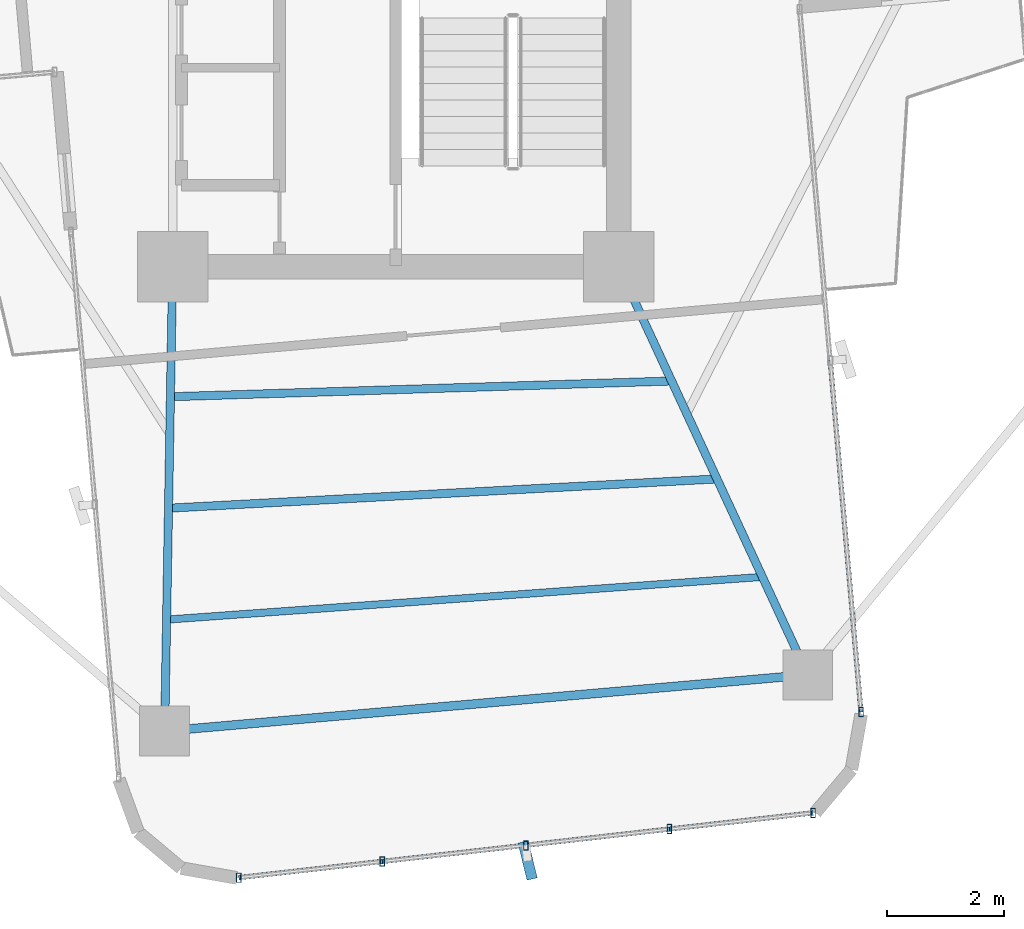
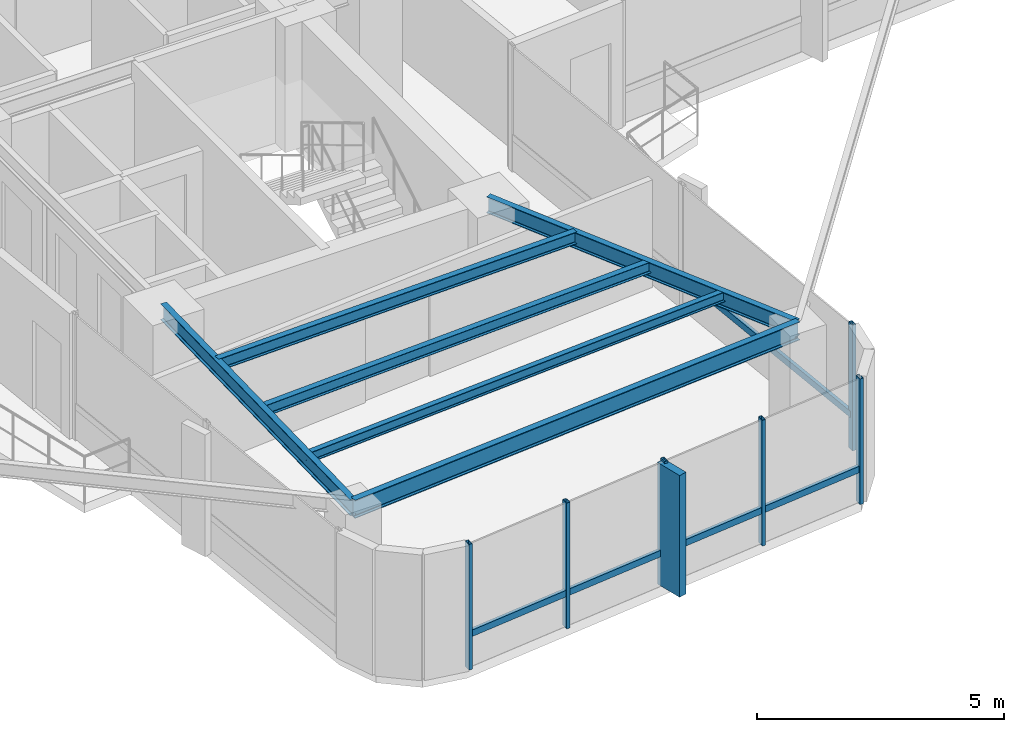
# One storey, part 6 of 24: 12 members, 6 beams, 2 elements without a shape of their own.
"""IFC4 building model written with IfcOpenShell, lengths in metres."""

from ifc_helpers import new_model, si_unit, direction, frame, origin, origin_2d, place, context, subcontext, project, spatial, rectangle, hollow_rectangle, i_section, extrude, source, transform, mapped, material, material_profile, profile_set, type_object, element, aggregate, save


model = new_model("IFC4")

# Units and contexts
model_context = context("Model", 3, precision=1e-05, world=origin(), true_north=direction((0.0, 1.0)))
body_context = subcontext(model_context, "Body", "Model", "MODEL_VIEW")
ifc_project = project(units=[si_unit("LENGTHUNIT", "METRE"), si_unit("AREAUNIT", "SQUARE_METRE"), si_unit("VOLUMEUNIT", "CUBIC_METRE"), si_unit("PLANEANGLEUNIT", "RADIAN"), si_unit("MASSUNIT", "GRAM", prefix="KILO")], contexts=[model_context])

# Site, building, storey
site_placement = place(None, origin())
site = spatial("IfcSite", under=ifc_project, at=site_placement, CompositionType="ELEMENT")
building_placement = place(site_placement, origin())
building = spatial("IfcBuilding", under=site, at=building_placement, Name="Sahyath Konkavel Grand Hotel", CompositionType="ELEMENT")
storey_placement = place(building_placement, frame((0.0, 0.0, 178.550048828125)))
storey = spatial("IfcBuildingStorey", under=building, at=storey_placement, Name="L49", CompositionType="ELEMENT", Elevation=178.550048828125)

# Beams
ifc_material_1 = material(Name="Steel E350", Category="steel")
ifc_material_profile_1 = material_profile(ifc_material_1, i_section(OverallWidth=0.139892578125, OverallDepth=0.39990234375, WebThickness=0.0087890625, FlangeThickness=0.01611328125, FilletRadius=0.013916015625, at=origin_2d()), Name="ISMB 400")
ifc_profile_set_1 = profile_set([ifc_material_profile_1], Name="Steel E350")
beam_type_1 = type_object("IfcBeamType", Name="BM-ISMB400", PredefinedType="BEAM", material=ifc_profile_set_1)
shared_shape_1 = source(origin(), body_context, "Body", "SweptSolid", [
    extrude(i_section(OverallWidth=0.139892578125, OverallDepth=0.39990234375, WebThickness=0.0087890625, FlangeThickness=0.01611328125, FilletRadius=0.013916015625, at=origin_2d()), origin(), (0.0, 0.0, 1.0), 7.913330078125),
])
beam_1_placement = place(storey_placement, frame((-3.800048828125, -10.199951171875, 2.909912109375), z_axis=(-0.017215419232, -0.999851803689, 0.0), x_axis=(0.999851803689, -0.017215419232, 0.0)))
element("IfcBeam", 1, at=beam_1_placement, inside=storey, type_object=beam_type_1, Name="L49 Cruciform Radial Girder SA", PredefinedType="BEAM", context=body_context, shape_type="MappedRepresentation", body=[
    mapped(shared_shape_1, transform((0.0, 0.0, 0.0), scale=1.0)),
])
shared_shape_2 = source(origin(), body_context, "Body", "SweptSolid", [
    extrude(i_section(OverallWidth=0.139892578125, OverallDepth=0.39990234375, WebThickness=0.0087890625, FlangeThickness=0.01611328125, FilletRadius=0.013916015625, at=origin_2d()), origin(), (0.0, 0.0, 1.0), 7.66357421875),
])
beam_2_placement = place(storey_placement, frame((3.800048828125, -10.199951171875, 2.909912109375), z_axis=(0.420395127561, -0.907341135804, 0.0), x_axis=(0.907341135804, 0.420395127561, 0.0)))
element("IfcBeam", 2, at=beam_2_placement, inside=storey, type_object=beam_type_1, Name="L49 Cruciform Radial Girder SB", PredefinedType="BEAM", context=body_context, shape_type="MappedRepresentation", body=[
    mapped(shared_shape_2, transform((0.0, 0.0, 0.0), scale=1.0)),
])
ifc_material_profile_2 = material_profile(ifc_material_1, i_section(OverallWidth=0.14990234375, OverallDepth=0.449951171875, WebThickness=0.009521484375, FlangeThickness=0.017333984375, FilletRadius=0.014892578125, at=origin_2d()), Name="ISMB 450")
ifc_profile_set_2 = profile_set([ifc_material_profile_2], Name="Steel E350")
beam_type_2 = type_object("IfcBeamType", Name="BM-ISMB450", PredefinedType="BEAM", material=ifc_profile_set_2)
shared_shape_3 = source(origin(), body_context, "Body", "SweptSolid", [
    extrude(i_section(OverallWidth=0.14990234375, OverallDepth=0.449951171875, WebThickness=0.009521484375, FlangeThickness=0.017333984375, FilletRadius=0.014892578125, at=origin_2d()), origin(), (0.0, 0.0, 1.0), 10.999755859375),
])
beam_3_placement = place(storey_placement, frame((-3.936279296875, -18.112060546875, 2.885009765625), z_axis=(0.99619439202, 0.087159241098, 0.0), x_axis=(-0.087159241098, 0.99619439202, 0.0)))
element("IfcBeam", 3, at=beam_3_placement, inside=storey, type_object=beam_type_2, Name="L49 Wing Tip Edge Beam S", PredefinedType="BEAM", context=body_context, shape_type="MappedRepresentation", body=[
    mapped(shared_shape_3, transform((0.0, 0.0, 0.0), scale=1.0)),
])
ifc_material_profile_3 = material_profile(ifc_material_1, i_section(OverallWidth=0.139892578125, OverallDepth=0.300048828125, WebThickness=0.0078125, FlangeThickness=0.01318359375, FilletRadius=0.013916015625, at=origin_2d()), Name="ISMB 300")
ifc_profile_set_3 = profile_set([ifc_material_profile_3], Name="Steel E350")
beam_type_3 = type_object("IfcBeamType", Name="BM-ISMB300", PredefinedType="BEAM", material=ifc_profile_set_3)
shared_shape_4 = source(origin(), body_context, "Body", "SweptSolid", [
    extrude(i_section(OverallWidth=0.139892578125, OverallDepth=0.300048828125, WebThickness=0.0078125, FlangeThickness=0.01318359375, FilletRadius=0.013916015625, at=origin_2d()), origin(), (0.0, 0.0, 1.0), 8.54443359375),
])
beam_4_placement = place(storey_placement, frame((-3.838134765625, -12.415283203125, 2.9599609375), z_axis=(0.999506849365, 0.031401561632, 0.0), x_axis=(-0.031401561632, 0.999506849365, 0.0)))
element("IfcBeam", 4, at=beam_4_placement, inside=storey, type_object=beam_type_3, Name="L49 Secondary Floor Beam S-1", PredefinedType="BEAM", context=body_context, shape_type="MappedRepresentation", body=[
    mapped(shared_shape_4, transform((0.0, 0.0, 0.0), scale=1.0)),
])
ifc_material_profile_4 = material_profile(ifc_material_1, i_section(OverallWidth=0.139892578125, OverallDepth=0.27490234375, WebThickness=0.00634765625, FlangeThickness=0.0087890625, FilletRadius=0.012939453125, at=origin_2d()), Name="ISLB 275")
ifc_profile_set_4 = profile_set([ifc_material_profile_4], Name="Steel E350")
beam_type_4 = type_object("IfcBeamType", Name="BM-ISLB275", PredefinedType="BEAM", material=ifc_profile_set_4)
shared_shape_5 = source(origin(), body_context, "Body", "SweptSolid", [
    extrude(i_section(OverallWidth=0.139892578125, OverallDepth=0.27490234375, WebThickness=0.00634765625, FlangeThickness=0.0087890625, FilletRadius=0.012939453125, at=origin_2d()), origin(), (0.0, 0.0, 1.0), 9.359375),
])
beam_5_placement = place(storey_placement, frame((-3.870849609375, -14.314208984375, 2.972412109375), z_axis=(0.998580397723, 0.053265272769, 0.0), x_axis=(-0.053265272769, 0.998580397723, 0.0)))
element("IfcBeam", 5, at=beam_5_placement, inside=storey, type_object=beam_type_4, Name="L49 Secondary Floor Beam S-2", PredefinedType="BEAM", context=body_context, shape_type="MappedRepresentation", body=[
    mapped(shared_shape_5, transform((0.0, 0.0, 0.0), scale=1.0)),
])
ifc_material_profile_5 = material_profile(ifc_material_1, i_section(OverallWidth=0.125, OverallDepth=0.25, WebThickness=0.0068359375, FlangeThickness=0.012451171875, FilletRadius=0.012939453125, at=origin_2d()), Name="ISMB 250")
ifc_profile_set_5 = profile_set([ifc_material_profile_5], Name="Steel E350")
beam_type_5 = type_object("IfcBeamType", Name="BM-ISMB250", PredefinedType="BEAM", material=ifc_profile_set_5)
shared_shape_6 = source(origin(), body_context, "Body", "SweptSolid", [
    extrude(i_section(OverallWidth=0.125, OverallDepth=0.25, WebThickness=0.0068359375, FlangeThickness=0.012451171875, FilletRadius=0.012939453125, at=origin_2d()), origin(), (0.0, 0.0, 1.0), 10.178466796875),
])
beam_6_placement = place(storey_placement, frame((-3.90380859375, -16.213134765625, 2.98486328125), z_axis=(0.997435268886, 0.071574327683, 0.0), x_axis=(-0.071574327683, 0.997435268886, 0.0)))
element("IfcBeam", 6, at=beam_6_placement, inside=storey, type_object=beam_type_5, Name="L49 Secondary Floor Beam S-3", PredefinedType="BEAM", context=body_context, shape_type="MappedRepresentation", body=[
    mapped(shared_shape_6, transform((0.0, 0.0, 0.0), scale=1.0)),
])

# Curtain wall, members
ifc_material_2 = material(Name="Anodised Bronze Aluminium & Low-E Glazing", Category="aluminium")
curtain_wall_type = type_object("IfcCurtainWallType", Name="CW-ZONE3", PredefinedType="NOTDEFINED", material=ifc_material_2)
curtain_wall_1_placement = place(storey_placement, origin())
curtain_wall_1 = element("IfcCurtainWall", 7, at=curtain_wall_1_placement, inside=storey, type_object=curtain_wall_type, Name="L49 Unitised Curtain Wall F28", PredefinedType="NOTDEFINED")
ifc_material_3 = material(Name="Anodised Bronze Aluminium", Category="aluminium")
ifc_material_profile_6 = material_profile(ifc_material_3, hollow_rectangle(XDim=0.080078125, YDim=0.159912109375, WallThickness=0.006103515625, at=origin_2d()), Name="RHS 160x80x6")
ifc_profile_set_6 = profile_set([ifc_material_profile_6], Name="Anodised Bronze Aluminium")
member_type_1 = type_object("IfcMemberType", Name="CW-MUL-160", PredefinedType="MULLION", material=ifc_profile_set_6)
shared_shape_7 = source(origin(), body_context, "Body", "SweptSolid", [
    extrude(hollow_rectangle(XDim=0.080078125, YDim=0.159912109375, WallThickness=0.006103515625, at=origin_2d()), origin(), (0.0, 0.0, 1.0), 3.10986328125),
])
member_1_placement = place(storey_placement, frame((-2.673828125, -20.610595703125, 0.0), z_axis=(0.0, 0.0, 1.0), x_axis=(1.0, 0.0, 0.0)))
member_1 = element("IfcMember", 8, at=member_1_placement, type_object=member_type_1, Name="L49 Curtain Wall Mullion F28-0", PredefinedType="MULLION", context=body_context, shape_type="MappedRepresentation", body=[
    mapped(shared_shape_7, transform((0.0, 0.0, 0.0), scale=1.0)),
])
member_2_placement = place(storey_placement, frame((-0.227294921875, -20.334716796875, 0.0), z_axis=(0.0, 0.0, 1.0), x_axis=(1.0, 0.0, 0.0)))
member_2 = element("IfcMember", 9, at=member_2_placement, type_object=member_type_1, Name="L49 Curtain Wall Mullion F28-1", PredefinedType="MULLION", context=body_context, shape_type="MappedRepresentation", body=[
    mapped(shared_shape_7, transform((0.0, 0.0, 0.0), scale=1.0)),
])
member_3_placement = place(storey_placement, frame((2.21923828125, -20.05908203125, 0.0), z_axis=(0.0, 0.0, 1.0), x_axis=(1.0, 0.0, 0.0)))
member_3 = element("IfcMember", 10, at=member_3_placement, type_object=member_type_1, Name="L49 Curtain Wall Mullion F28-2", PredefinedType="MULLION", context=body_context, shape_type="MappedRepresentation", body=[
    mapped(shared_shape_7, transform((0.0, 0.0, 0.0), scale=1.0)),
])
member_4_placement = place(storey_placement, frame((4.665771484375, -19.783203125, 0.0), z_axis=(0.0, 0.0, 1.0), x_axis=(1.0, 0.0, 0.0)))
member_4 = element("IfcMember", 11, at=member_4_placement, type_object=member_type_1, Name="L49 Curtain Wall Mullion F28-3", PredefinedType="MULLION", context=body_context, shape_type="MappedRepresentation", body=[
    mapped(shared_shape_7, transform((0.0, 0.0, 0.0), scale=1.0)),
])
member_5_placement = place(storey_placement, frame((7.1123046875, -19.507568359375, 0.0), z_axis=(0.0, 0.0, 1.0), x_axis=(1.0, 0.0, 0.0)))
member_5 = element("IfcMember", 12, at=member_5_placement, type_object=member_type_1, Name="L49 Curtain Wall Mullion F28-4", PredefinedType="MULLION", context=body_context, shape_type="MappedRepresentation", body=[
    mapped(shared_shape_7, transform((0.0, 0.0, 0.0), scale=1.0)),
])

# Curtain wall, member
curtain_wall_2_placement = place(storey_placement, origin())
curtain_wall_2 = element("IfcCurtainWall", 13, at=curtain_wall_2_placement, inside=storey, type_object=curtain_wall_type, Name="L49 Unitised Curtain Wall F31", PredefinedType="NOTDEFINED")
member_6_placement = place(storey_placement, frame((7.930419921875, -17.78662109375, 0.0), z_axis=(0.0, 0.0, 1.0), x_axis=(1.0, 0.0, 0.0)))
member_6 = element("IfcMember", 14, at=member_6_placement, type_object=member_type_1, Name="L49 Curtain Wall Mullion F31-0", PredefinedType="MULLION", context=body_context, shape_type="MappedRepresentation", body=[
    mapped(shared_shape_7, transform((0.0, 0.0, 0.0), scale=1.0)),
])

# Member
ifc_material_4 = material(Name="Warm Buff Sandstone Cladding on Concrete C50/60", Category="masonry")
ifc_material_profile_7 = material_profile(ifc_material_4, rectangle(XDim=0.179931640625, YDim=0.64990234375, at=origin_2d()), Name="FIN 180x650")
ifc_profile_set_7 = profile_set([ifc_material_profile_7], Name="Warm Buff Sandstone Cladding on Concrete C50/60")
member_type_2 = type_object("IfcMemberType", Name="FIN-SANDSTONE-650", PredefinedType="MULLION", material=ifc_profile_set_7)
shared_shape_8 = source(origin(), body_context, "Body", "SweptSolid", [
    extrude(rectangle(XDim=0.179931640625, YDim=0.64990234375, at=origin_2d()), origin(), (0.0, 0.0, 1.0), 3.010009765625),
])
member_7_placement = place(storey_placement, frame((2.248291015625, -20.3173828125, 0.050048828125), z_axis=(0.0, 0.0, 1.0), x_axis=(0.970842131618, 0.239719743609, 0.0)))
member_7 = element("IfcMember", 15, at=member_7_placement, type_object=member_type_2, Name="L49 Sandstone Vertical Solar Fin FIN F28-2", PredefinedType="MULLION", context=body_context, shape_type="MappedRepresentation", body=[
    mapped(shared_shape_8, transform((0.0, 0.0, 0.0), scale=1.0)),
])

ifc_material_profile_8 = material_profile(ifc_material_3, hollow_rectangle(XDim=0.080078125, YDim=0.159912109375, WallThickness=0.006103515625, at=origin_2d()), Name="RHS 160x80x6")
ifc_profile_set_8 = profile_set([ifc_material_profile_8], Name="Anodised Bronze Aluminium")
member_type_3 = type_object("IfcMemberType", Name="CW-TRN-160", PredefinedType="USERDEFINED", material=ifc_profile_set_8)
shared_shape_9 = source(origin(), body_context, "Body", "SweptSolid", [
    extrude(hollow_rectangle(XDim=0.080078125, YDim=0.159912109375, WallThickness=0.006103515625, at=origin_2d()), origin(), (0.0, 0.0, 1.0), 2.462158203125),
])
member_8_placement = place(storey_placement, frame((-2.673828125, -20.610595703125, 0.849853515625), z_axis=(0.99370222711, 0.112053040279, 0.0), x_axis=(-0.112053040279, 0.99370222711, 0.0)))
member_8 = element("IfcMember", 16, at=member_8_placement, type_object=member_type_3, Name="L49 Curtain Wall Transom F28-0-spandrel", ObjectType="TRANSOM", PredefinedType="USERDEFINED", context=body_context, shape_type="MappedRepresentation", body=[
    mapped(shared_shape_9, transform((0.0, 0.0, 0.0), scale=1.0)),
])

member_9_placement = place(storey_placement, frame((2.21923828125, -20.05908203125, 0.849853515625), z_axis=(0.99370222711, 0.112053040279, 0.0), x_axis=(-0.112053040279, 0.99370222711, 0.0)))
member_9 = element("IfcMember", 17, at=member_9_placement, type_object=member_type_3, Name="L49 Curtain Wall Transom F28-2-spandrel", ObjectType="TRANSOM", PredefinedType="USERDEFINED", context=body_context, shape_type="MappedRepresentation", body=[
    mapped(shared_shape_9, transform((0.0, 0.0, 0.0), scale=1.0)),
])

shared_shape_10 = source(origin(), body_context, "Body", "SweptSolid", [
    extrude(hollow_rectangle(XDim=0.080078125, YDim=0.159912109375, WallThickness=0.006103515625, at=origin_2d()), origin(), (0.0, 0.0, 1.0), 2.4619140625),
])
member_10_placement = place(storey_placement, frame((-0.227294921875, -20.334716796875, 0.849853515625), z_axis=(0.993713263833, 0.111955121731, 0.0), x_axis=(-0.111955121731, 0.993713263833, 0.0)))
member_10 = element("IfcMember", 18, at=member_10_placement, type_object=member_type_3, Name="L49 Curtain Wall Transom F28-1-spandrel", ObjectType="TRANSOM", PredefinedType="USERDEFINED", context=body_context, shape_type="MappedRepresentation", body=[
    mapped(shared_shape_10, transform((0.0, 0.0, 0.0), scale=1.0)),
])

member_11_placement = place(storey_placement, frame((4.665771484375, -19.783203125, 0.849853515625), z_axis=(0.993713263833, 0.111955121731, 0.0), x_axis=(-0.111955121731, 0.993713263833, 0.0)))
member_11 = element("IfcMember", 19, at=member_11_placement, type_object=member_type_3, Name="L49 Curtain Wall Transom F28-3-spandrel", ObjectType="TRANSOM", PredefinedType="USERDEFINED", context=body_context, shape_type="MappedRepresentation", body=[
    mapped(shared_shape_10, transform((0.0, 0.0, 0.0), scale=1.0)),
])

aggregate(curtain_wall_1, [member_1, member_2, member_3, member_7, member_4, member_5, member_8, member_10, member_9, member_11])

shared_shape_11 = source(origin(), body_context, "Body", "SweptSolid", [
    extrude(hollow_rectangle(XDim=0.080078125, YDim=0.159912109375, WallThickness=0.006103515625, at=origin_2d()), origin(), (0.0, 0.0, 1.0), 6.01025390625),
])
member_12_placement = place(storey_placement, frame((7.930419921875, -17.78662109375, 0.849853515625), z_axis=(-0.087172997156, 0.996193188376, 0.0), x_axis=(-0.996193188376, -0.087172997156, 0.0)))
member_12 = element("IfcMember", 20, at=member_12_placement, type_object=member_type_3, Name="L49 Curtain Wall Transom F31-0-spandrel", ObjectType="TRANSOM", PredefinedType="USERDEFINED", context=body_context, shape_type="MappedRepresentation", body=[
    mapped(shared_shape_11, transform((0.0, 0.0, 0.0), scale=1.0)),
])

aggregate(curtain_wall_2, [member_6, member_12])

save(model, "model.ifc")
